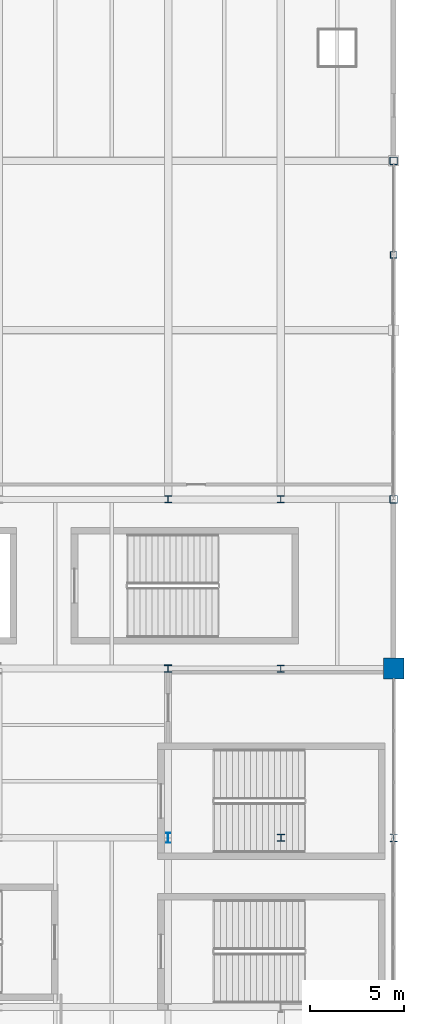
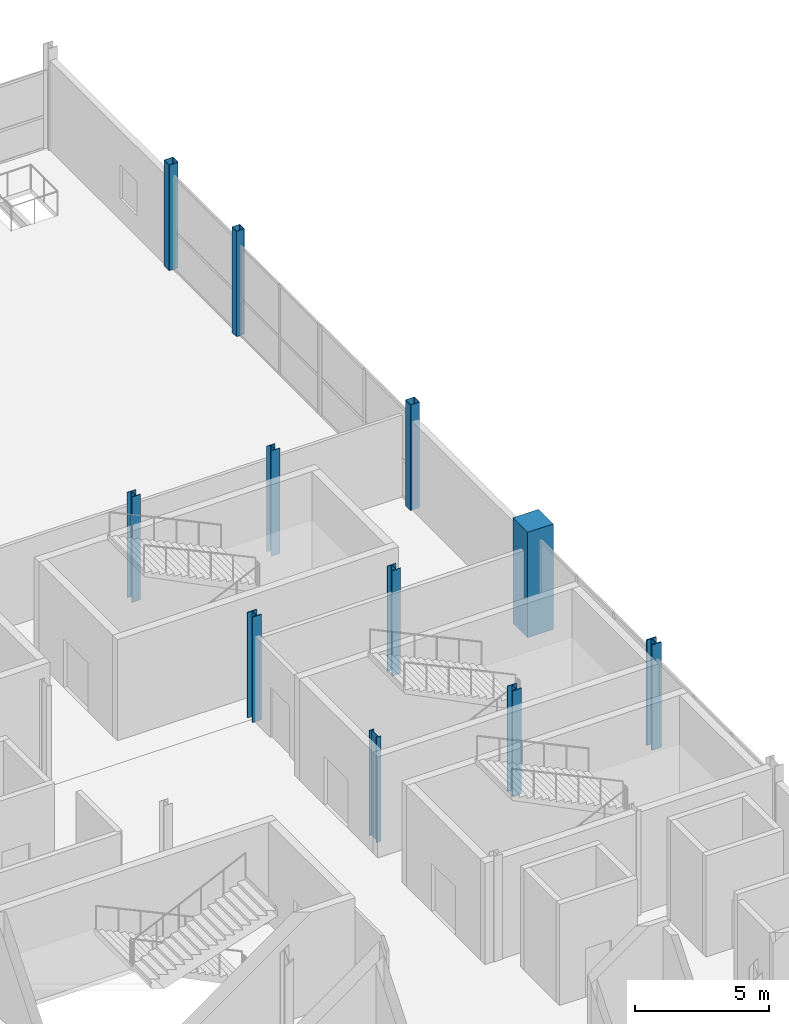
# One storey, part 8 of 69: 11 columns.
"""IFC4 building model written with IfcOpenShell, lengths in metres."""

from ifc_helpers import new_model, si_unit, direction, frame, origin, origin_2d, place, context, subcontext, project, spatial, rectangle, hollow_rectangle, i_section, extrude, material, material_profile, profile_set, type_object, element, save


model = new_model("IFC4")

# Units and contexts
model_context = context("Model", 3, precision=1e-05, world=origin(), true_north=direction((0.0, 1.0)))
body_context = subcontext(model_context, "Body", "Model", "MODEL_VIEW")
ifc_project = project(units=[si_unit("LENGTHUNIT", "METRE"), si_unit("AREAUNIT", "SQUARE_METRE"), si_unit("VOLUMEUNIT", "CUBIC_METRE"), si_unit("PLANEANGLEUNIT", "RADIAN"), si_unit("MASSUNIT", "GRAM", prefix="KILO")], contexts=[model_context])

# Site, building, storey
site_placement = place(None, origin())
site = spatial("IfcSite", under=ifc_project, at=site_placement, CompositionType="ELEMENT")
building_placement = place(site_placement, origin())
building = spatial("IfcBuilding", under=site, at=building_placement, Name="Qamarlyn Nura Convention Centre", CompositionType="ELEMENT")
storey_placement = place(building_placement, frame((0.0, 0.0, 15.60009765625)))
storey = spatial("IfcBuildingStorey", under=building, at=storey_placement, Name="L03", CompositionType="ELEMENT", Elevation=15.60009765625)

# Columns
ifc_material_1 = material(Name="Steel ASTM A500 Grade C", Category="steel")
ifc_material_profile_1 = material_profile(ifc_material_1, hollow_rectangle(XDim=0.39990234375, YDim=0.39990234375, WallThickness=0.01611328125, InnerFilletRadius=0.01611328125, OuterFilletRadius=0.031982421875, at=origin_2d()), Name="HSS400X400X16")
ifc_profile_set_1 = profile_set([ifc_material_profile_1], Name="Steel ASTM A500 Grade C")
column_type_1 = type_object("IfcColumnType", Name="COL-HSS-1", PredefinedType="COLUMN", material=ifc_profile_set_1)
for number, where, z_axis, x_axis, name in (
    (1, (192.0, 90.0, 0.0), (0.0, 0.0, 1.0), (1.0, 0.0, 0.0), "L03 column 18/L"),
    (2, (192.0, 108.0, 0.0), (0.0, 0.0, 1.0), (1.0, 0.0, 0.0), "L03 column 18/N"),
):
    element("IfcColumn", number, at=place(storey_placement, frame(where, z_axis=z_axis, x_axis=x_axis)), inside=storey, type_object=column_type_1, Name=name, PredefinedType="COLUMN", context=body_context, shape_type="SweptSolid", body=[
        extrude(hollow_rectangle(XDim=0.39990234375, YDim=0.39990234375, WallThickness=0.01611328125, InnerFilletRadius=0.01611328125, OuterFilletRadius=0.031982421875, at=origin_2d()), origin(), (0.0, 0.0, 1.0), 4.7998046875),
    ])
ifc_material_profile_2 = material_profile(ifc_material_1, hollow_rectangle(XDim=0.35009765625, YDim=0.35009765625, WallThickness=0.012451171875, InnerFilletRadius=0.012451171875, OuterFilletRadius=0.02490234375, at=origin_2d()), Name="HSS350X350X12.5")
ifc_profile_set_2 = profile_set([ifc_material_profile_2], Name="Steel ASTM A500 Grade C")
column_type_2 = type_object("IfcColumnType", Name="COL-HSS-2", PredefinedType="COLUMN", material=ifc_profile_set_2)
column_1_placement = place(storey_placement, frame((192.0, 103.0, 0.0), z_axis=(0.0, 0.0, 1.0), x_axis=(1.0, 0.0, 0.0)))
element("IfcColumn", 3, at=column_1_placement, inside=storey, type_object=column_type_2, Name="L03 column 18/M", PredefinedType="COLUMN", context=body_context, shape_type="SweptSolid", body=[
    extrude(hollow_rectangle(XDim=0.35009765625, YDim=0.35009765625, WallThickness=0.012451171875, InnerFilletRadius=0.012451171875, OuterFilletRadius=0.02490234375, at=origin_2d()), origin(), (0.0, 0.0, 1.0), 4.7998046875),
])
ifc_material_2 = material(Name="Steel ASTM A992", Category="steel")
ifc_material_profile_3 = material_profile(ifc_material_2, i_section(OverallWidth=0.408935546875, OverallDepth=0.425048828125, WebThickness=0.030517578125, FlangeThickness=0.049072265625, FilletRadius=0.02001953125, at=origin_2d()), Name="W360X421")
ifc_profile_set_3 = profile_set([ifc_material_profile_3], Name="Steel ASTM A992")
column_type_3 = type_object("IfcColumnType", Name="COL-MEGA-1", PredefinedType="COLUMN", material=ifc_profile_set_3)
column_2_placement = place(storey_placement, frame((192.0, 72.0, 0.0), z_axis=(0.0, 0.0, 1.0), x_axis=(1.0, 0.0, 0.0)))
element("IfcColumn", 4, at=column_2_placement, inside=storey, type_object=column_type_3, Name="L03 column 18/J", PredefinedType="COLUMN", context=body_context, shape_type="SweptSolid", body=[
    extrude(i_section(OverallWidth=0.408935546875, OverallDepth=0.425048828125, WebThickness=0.030517578125, FlangeThickness=0.049072265625, FilletRadius=0.02001953125, at=origin_2d()), origin(), (0.0, 0.0, 1.0), 4.7998046875),
])
ifc_material_3 = material(Name="Concrete C50/60", Category="concrete")
ifc_material_profile_4 = material_profile(ifc_material_3, rectangle(XDim=1.10009765625, YDim=1.10009765625, at=origin_2d()), Name="RC 1100x1100")
ifc_profile_set_4 = profile_set([ifc_material_profile_4], Name="Concrete C50/60")
column_type_4 = type_object("IfcColumnType", Name="COL-MEGA-2", PredefinedType="COLUMN", material=ifc_profile_set_4)
column_3_placement = place(storey_placement, frame((192.0, 81.0, 0.0), z_axis=(0.0, 0.0, 1.0), x_axis=(1.0, 0.0, 0.0)))
element("IfcColumn", 5, at=column_3_placement, inside=storey, type_object=column_type_4, Name="L03 column 18/K", PredefinedType="COLUMN", context=body_context, shape_type="SweptSolid", body=[
    extrude(rectangle(XDim=1.10009765625, YDim=1.10009765625, at=origin_2d()), origin(), (0.0, 0.0, 1.0), 4.7998046875),
])
ifc_material_profile_5 = material_profile(ifc_material_2, i_section(OverallWidth=0.39892578125, OverallDepth=0.39306640625, WebThickness=0.022705078125, FlangeThickness=0.03662109375, FilletRadius=0.01806640625, at=origin_2d()), Name="W360X287")
ifc_profile_set_5 = profile_set([ifc_material_profile_5], Name="Steel ASTM A992")
column_type_5 = type_object("IfcColumnType", Name="COL-WING-1", PredefinedType="COLUMN", material=ifc_profile_set_5)
for number, where, z_axis, x_axis, name in (
    (6, (180.0, 81.0, 0.0), (0.0, 0.0, 1.0), (1.0, 0.0, 0.0), "L03 column 16/K"),
    (7, (186.0, 72.0, 0.0), (0.0, 0.0, 1.0), (1.0, 0.0, 0.0), "L03 column 17/J"),
):
    element("IfcColumn", number, at=place(storey_placement, frame(where, z_axis=z_axis, x_axis=x_axis)), inside=storey, type_object=column_type_5, Name=name, PredefinedType="COLUMN", context=body_context, shape_type="SweptSolid", body=[
        extrude(i_section(OverallWidth=0.39892578125, OverallDepth=0.39306640625, WebThickness=0.022705078125, FlangeThickness=0.03662109375, FilletRadius=0.01806640625, at=origin_2d()), origin(), (0.0, 0.0, 1.0), 4.7998046875),
    ])
ifc_material_profile_6 = material_profile(ifc_material_2, i_section(OverallWidth=0.3740234375, OverallDepth=0.3720703125, WebThickness=0.016357421875, FlangeThickness=0.026123046875, FilletRadius=0.01611328125, at=origin_2d()), Name="W360X196")
ifc_profile_set_6 = profile_set([ifc_material_profile_6], Name="Steel ASTM A992")
column_type_6 = type_object("IfcColumnType", Name="COL-WING-2", PredefinedType="COLUMN", material=ifc_profile_set_6)
for number, where, z_axis, x_axis, name in (
    (8, (180.0, 90.0, 0.0), (0.0, 0.0, 1.0), (1.0, 0.0, 0.0), "L03 column 16/L"),
    (9, (186.0, 81.0, 0.0), (0.0, 0.0, 1.0), (1.0, 0.0, 0.0), "L03 column 17/K"),
):
    element("IfcColumn", number, at=place(storey_placement, frame(where, z_axis=z_axis, x_axis=x_axis)), inside=storey, type_object=column_type_6, Name=name, PredefinedType="COLUMN", context=body_context, shape_type="SweptSolid", body=[
        extrude(i_section(OverallWidth=0.3740234375, OverallDepth=0.3720703125, WebThickness=0.016357421875, FlangeThickness=0.026123046875, FilletRadius=0.01611328125, at=origin_2d()), origin(), (0.0, 0.0, 1.0), 4.7998046875),
    ])
ifc_material_profile_7 = material_profile(ifc_material_2, i_section(OverallWidth=0.368896484375, OverallDepth=0.35595703125, WebThickness=0.01123046875, FlangeThickness=0.01806640625, FilletRadius=0.014892578125, at=origin_2d()), Name="W360X134")
ifc_profile_set_7 = profile_set([ifc_material_profile_7], Name="Steel ASTM A992")
column_type_7 = type_object("IfcColumnType", Name="COL-WING-3", PredefinedType="COLUMN", material=ifc_profile_set_7)
column_4_placement = place(storey_placement, frame((186.0, 90.0, 0.0), z_axis=(0.0, 0.0, 1.0), x_axis=(1.0, 0.0, 0.0)))
element("IfcColumn", 10, at=column_4_placement, inside=storey, type_object=column_type_7, Name="L03 column 17/L", PredefinedType="COLUMN", context=body_context, shape_type="SweptSolid", body=[
    extrude(i_section(OverallWidth=0.368896484375, OverallDepth=0.35595703125, WebThickness=0.01123046875, FlangeThickness=0.01806640625, FilletRadius=0.014892578125, at=origin_2d()), origin(), (0.0, 0.0, 1.0), 4.7998046875),
])
ifc_material_profile_8 = material_profile(ifc_material_2, i_section(OverallWidth=0.2109375, OverallDepth=0.5390625, WebThickness=0.01171875, FlangeThickness=0.018798828125, FilletRadius=0.013916015625, at=origin_2d()), Name="W530X109")
ifc_profile_set_8 = profile_set([ifc_material_profile_8], Name="Steel ASTM A992")
column_type_8 = type_object("IfcColumnType", Name="COL-WING-7", PredefinedType="COLUMN", material=ifc_profile_set_8)
column_5_placement = place(storey_placement, frame((180.0, 72.0, 0.0), z_axis=(0.0, 0.0, 1.0), x_axis=(1.0, 0.0, 0.0)))
element("IfcColumn", 11, at=column_5_placement, inside=storey, type_object=column_type_8, Name="L03 column 16/J", PredefinedType="COLUMN", context=body_context, shape_type="SweptSolid", body=[
    extrude(i_section(OverallWidth=0.2109375, OverallDepth=0.5390625, WebThickness=0.01171875, FlangeThickness=0.018798828125, FilletRadius=0.013916015625, at=origin_2d()), origin(), (0.0, 0.0, 1.0), 4.7998046875),
])

save(model, "model.ifc")
